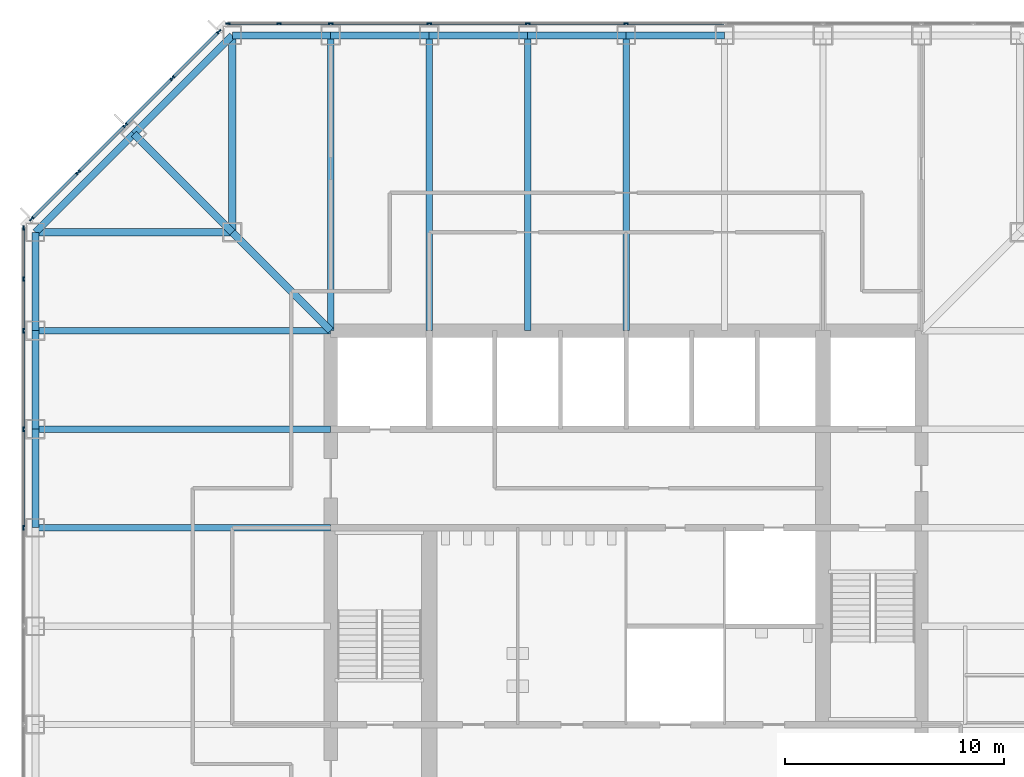
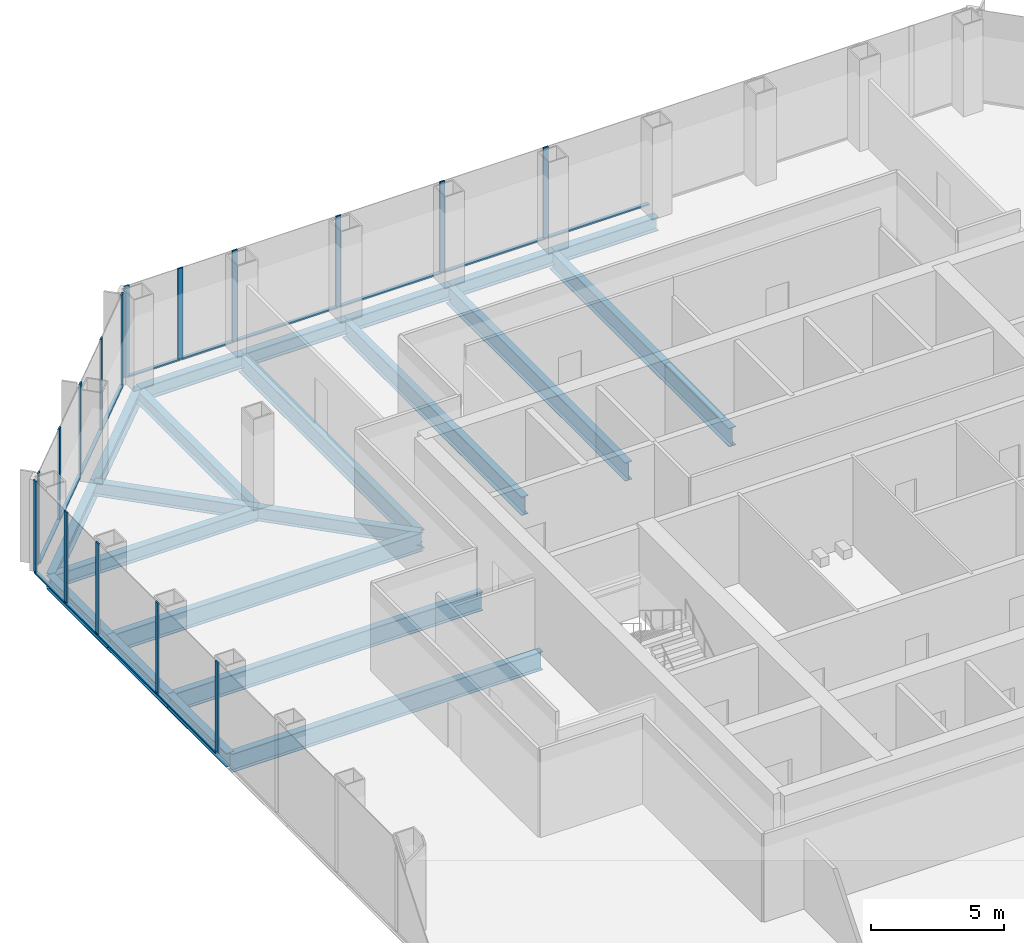
# One storey, part 5 of 12: 30 members, 21 beams, 3 elements without a shape of their own.
"""IFC4 building model written with IfcOpenShell, lengths in metres."""

from ifc_helpers import new_model, si_unit, direction, frame, origin, origin_2d, place, context, subcontext, project, spatial, rectangle, i_section, extrude, material, material_profile, profile_set, type_object, element, aggregate, save


model = new_model("IFC4")

# Units and contexts
model_context = context("Model", 3, precision=1e-05, world=origin(), true_north=direction((0.0, 1.0)))
body_context = subcontext(model_context, "Body", "Model", "MODEL_VIEW")
ifc_project = project(units=[si_unit("LENGTHUNIT", "METRE"), si_unit("AREAUNIT", "SQUARE_METRE"), si_unit("VOLUMEUNIT", "CUBIC_METRE"), si_unit("PLANEANGLEUNIT", "RADIAN"), si_unit("MASSUNIT", "GRAM", prefix="KILO")], contexts=[model_context])

# Site, building, storey
site_placement = place(None, origin())
site = spatial("IfcSite", under=ifc_project, at=site_placement, CompositionType="ELEMENT")
building_placement = place(site_placement, origin())
building = spatial("IfcBuilding", under=site, at=building_placement, Name="Corais Broadcast Tower", CompositionType="ELEMENT")
storey_placement = place(building_placement, frame((0.0, 0.0, 41.60009765625)))
storey = spatial("IfcBuildingStorey", under=building, at=storey_placement, Name="L08", CompositionType="ELEMENT", Elevation=41.60009765625)

# Beams
ifc_material_1 = material(Name="Steel ASTM A572 Grade 50", Category="steel")
ifc_material_profile_1 = material_profile(ifc_material_1, i_section(OverallWidth=0.323974609375, OverallDepth=0.611083984375, WebThickness=0.0126953125, FlangeThickness=0.01904296875, at=origin_2d()), Name="W610x155")
ifc_profile_set_1 = profile_set([ifc_material_profile_1], Name="Steel ASTM A572 Grade 50")
beam_type_1 = type_object("IfcBeamType", Name="Chamfer tie W610x155", PredefinedType="BEAM", material=ifc_profile_set_1)
beam_1_placement = place(storey_placement, frame((4.5, 49.5, -0.465576171875), z_axis=(0.707106781187, -0.707106781187, 0.0), x_axis=(0.707106781187, 0.707106781187, 0.0)))
element("IfcBeam", 1, at=beam_1_placement, inside=storey, type_object=beam_type_1, Name="B5 M/4 to L/5", PredefinedType="BEAM", context=body_context, shape_type="SweptSolid", body=[
    extrude(i_section(OverallWidth=0.323974609375, OverallDepth=0.611083984375, WebThickness=0.0126953125, FlangeThickness=0.01904296875, at=origin_2d()), origin(), (0.0, 0.0, 1.0), 6.364013671875),
])
ifc_material_2 = material(Name="Steel ASTM A572 Grade 50", Category="steel")
ifc_material_profile_2 = material_profile(ifc_material_2, i_section(OverallWidth=0.323974609375, OverallDepth=0.611083984375, WebThickness=0.0126953125, FlangeThickness=0.01904296875, at=origin_2d()), Name="W610x155")
ifc_profile_set_2 = profile_set([ifc_material_profile_2], Name="Steel ASTM A572 Grade 50")
beam_type_2 = type_object("IfcBeamType", Name="Corner diagonal W610x155", PredefinedType="BEAM", material=ifc_profile_set_2)
beam_2_placement = place(storey_placement, frame((9.0, 45.0, -0.465576171875), z_axis=(0.707106781187, -0.707106781187, 0.0), x_axis=(0.707106781187, 0.707106781187, 0.0)))
element("IfcBeam", 2, at=beam_2_placement, inside=storey, type_object=beam_type_2, Name="B6 L/5 to K/6", PredefinedType="BEAM", context=body_context, shape_type="SweptSolid", body=[
    extrude(i_section(OverallWidth=0.323974609375, OverallDepth=0.611083984375, WebThickness=0.0126953125, FlangeThickness=0.01904296875, at=origin_2d()), origin(), (0.0, 0.0, 1.0), 6.364013671875),
])
ifc_material_3 = material(Name="Steel ASTM A572 Grade 50", Category="steel")
ifc_material_profile_3 = material_profile(ifc_material_3, i_section(OverallWidth=0.323974609375, OverallDepth=0.611083984375, WebThickness=0.0126953125, FlangeThickness=0.01904296875, at=origin_2d()), Name="W610x155")
ifc_profile_set_3 = profile_set([ifc_material_profile_3], Name="Steel ASTM A572 Grade 50")
beam_type_3 = type_object("IfcBeamType", Name="Corner girder W610x155", PredefinedType="BEAM", material=ifc_profile_set_3)
for number, where, z_axis, x_axis, name in (
    (3, (0.0, 45.0, -0.465576171875), (1.0, 0.0, 0.0), (0.0, 1.0, 0.0), "B4 L/3 to L/5"),
    (4, (9.0, 54.0, -0.465576171875), (0.0, -1.0, 0.0), (1.0, 0.0, 0.0), "B4 N/5 to L/5"),
):
    element("IfcBeam", number, at=place(storey_placement, frame(where, z_axis=z_axis, x_axis=x_axis)), inside=storey, type_object=beam_type_3, Name=name, PredefinedType="BEAM", context=body_context, shape_type="SweptSolid", body=[
        extrude(i_section(OverallWidth=0.323974609375, OverallDepth=0.611083984375, WebThickness=0.0126953125, FlangeThickness=0.01904296875, at=origin_2d()), origin(), (0.0, 0.0, 1.0), 9.0),
    ])
ifc_material_4 = material(Name="Steel ASTM A572 Grade 50", Category="steel")
ifc_material_profile_4 = material_profile(ifc_material_4, i_section(OverallWidth=0.2939453125, OverallDepth=0.85107421875, WebThickness=0.01611328125, FlangeThickness=0.02685546875, at=origin_2d()), Name="W840x226")
ifc_profile_set_4 = profile_set([ifc_material_profile_4], Name="Steel ASTM A572 Grade 50")
beam_type_4 = type_object("IfcBeamType", Name="Floor beam W840x226", PredefinedType="BEAM", material=ifc_profile_set_4)
for number, where, z_axis, x_axis, name in (
    (5, (0.0, 31.5, -0.585693359375), (1.0, 0.0, 0.0), (0.0, 1.0, 0.0), "B1 H/3 to H/6"),
    (6, (0.0, 36.0, -0.585693359375), (1.0, 0.0, 0.0), (0.0, 1.0, 0.0), "B1 J/3 to J/6"),
    (7, (0.0, 40.5, -0.585693359375), (1.0, 0.0, 0.0), (0.0, 1.0, 0.0), "B1 K/3 to K/6"),
    (8, (13.5, 54.0, -0.585693359375), (0.0, -1.0, 0.0), (1.0, 0.0, 0.0), "B1 N/6 to K/6"),
    (9, (18.0, 54.0, -0.585693359375), (0.0, -1.0, 0.0), (1.0, 0.0, 0.0), "B1 N/7 to K/7"),
    (10, (22.5, 54.0, -0.585693359375), (0.0, -1.0, 0.0), (1.0, 0.0, 0.0), "B1 N/8 to K/8"),
    (11, (27.0, 54.0, -0.585693359375), (0.0, -1.0, 0.0), (1.0, 0.0, 0.0), "B1 N/9 to K/9"),
):
    element("IfcBeam", number, at=place(storey_placement, frame(where, z_axis=z_axis, x_axis=x_axis)), inside=storey, type_object=beam_type_4, Name=name, PredefinedType="BEAM", context=body_context, shape_type="SweptSolid", body=[
        extrude(i_section(OverallWidth=0.2939453125, OverallDepth=0.85107421875, WebThickness=0.01611328125, FlangeThickness=0.02685546875, at=origin_2d()), origin(), (0.0, 0.0, 1.0), 13.5),
    ])

# Curtain wall, members
ifc_material_5 = material(Name="Aluminium and glass", Category="aluminium")
curtain_wall_type = type_object("IfcCurtainWallType", Name="Newsroom clear-glass curtain wall CW7", PredefinedType="NOTDEFINED", material=ifc_material_5)
curtain_wall_1_placement = place(storey_placement, origin())
curtain_wall_1 = element("IfcCurtainWall", 12, at=curtain_wall_1_placement, inside=storey, type_object=curtain_wall_type, Name="CW7 curtain wall L08 2", PredefinedType="NOTDEFINED")
ifc_material_6 = material(Name="Aluminium 6063-T6", Category="aluminium")
ifc_material_profile_5 = material_profile(ifc_material_6, rectangle(XDim=0.06494140625, YDim=0.219970703125, at=origin_2d()), Name="Mullion CW7 65x220")
ifc_profile_set_5 = profile_set([ifc_material_profile_5], Name="Aluminium 6063-T6")
member_type_1 = type_object("IfcMemberType", Name="Mullion CW7 65x220", PredefinedType="MULLION", material=ifc_profile_set_5)
member_1_placement = place(storey_placement, frame((-0.550048828125, 31.5, 0.0), z_axis=(0.0, 0.0, 1.0), x_axis=(-1.0, 0.0, 0.0)))
member_1 = element("IfcMember", 13, at=member_1_placement, type_object=member_type_1, Name="CW7 mullion 7", PredefinedType="MULLION", context=body_context, shape_type="SweptSolid", body=[
    extrude(rectangle(XDim=0.06494140625, YDim=0.219970703125, at=origin_2d()), origin(), (0.0, 0.0, 1.0), 4.199951171875),
])
member_2_placement = place(storey_placement, frame((-0.550048828125, 36.0, 0.0), z_axis=(0.0, 0.0, 1.0), x_axis=(-1.0, 0.0, 0.0)))
member_2 = element("IfcMember", 14, at=member_2_placement, type_object=member_type_1, Name="CW7 mullion 8", PredefinedType="MULLION", context=body_context, shape_type="SweptSolid", body=[
    extrude(rectangle(XDim=0.06494140625, YDim=0.219970703125, at=origin_2d()), origin(), (0.0, 0.0, 1.0), 4.199951171875),
])
member_3_placement = place(storey_placement, frame((-0.550048828125, 40.5, 0.0), z_axis=(0.0, 0.0, 1.0), x_axis=(-1.0, 0.0, 0.0)))
member_3 = element("IfcMember", 15, at=member_3_placement, type_object=member_type_1, Name="CW7 mullion 9", PredefinedType="MULLION", context=body_context, shape_type="SweptSolid", body=[
    extrude(rectangle(XDim=0.06494140625, YDim=0.219970703125, at=origin_2d()), origin(), (0.0, 0.0, 1.0), 4.199951171875),
])
member_4_placement = place(storey_placement, frame((-0.550048828125, 42.864013671875, 0.0), z_axis=(0.0, 0.0, 1.0), x_axis=(-1.0, 0.0, 0.0)))
member_4 = element("IfcMember", 16, at=member_4_placement, type_object=member_type_1, Name="CW7 mullion 10", PredefinedType="MULLION", context=body_context, shape_type="SweptSolid", body=[
    extrude(rectangle(XDim=0.06494140625, YDim=0.219970703125, at=origin_2d()), origin(), (0.0, 0.0, 1.0), 4.199951171875),
])
member_5_placement = place(storey_placement, frame((-0.550048828125, 45.1953125, 0.0), z_axis=(0.0, 0.0, 1.0), x_axis=(-1.0, 0.0, 0.0)))
member_5 = element("IfcMember", 17, at=member_5_placement, type_object=member_type_1, Name="CW7 mullion 11", PredefinedType="MULLION", context=body_context, shape_type="SweptSolid", body=[
    extrude(rectangle(XDim=0.06494140625, YDim=0.219970703125, at=origin_2d()), origin(), (0.0, 0.0, 1.0), 4.199951171875),
])

curtain_wall_2_placement = place(storey_placement, origin())
curtain_wall_2 = element("IfcCurtainWall", 18, at=curtain_wall_2_placement, inside=storey, type_object=curtain_wall_type, Name="CW7 curtain wall L08 3", PredefinedType="NOTDEFINED")
member_6_placement = place(storey_placement, frame((-0.17333984375, 45.6044921875, 0.0), z_axis=(0.0, 0.0, 1.0), x_axis=(-0.707106781187, 0.707106781187, 0.0)))
member_6 = element("IfcMember", 19, at=member_6_placement, type_object=member_type_1, Name="CW7 mullion 1", PredefinedType="MULLION", context=body_context, shape_type="SweptSolid", body=[
    extrude(rectangle(XDim=0.06494140625, YDim=0.219970703125, at=origin_2d()), origin(), (0.0, 0.0, 1.0), 4.199951171875),
])
member_7_placement = place(storey_placement, frame((1.957275390625, 47.735107421875, 0.0), z_axis=(0.0, 0.0, 1.0), x_axis=(-0.707106781187, 0.707106781187, 0.0)))
member_7 = element("IfcMember", 20, at=member_7_placement, type_object=member_type_1, Name="CW7 mullion 2", PredefinedType="MULLION", context=body_context, shape_type="SweptSolid", body=[
    extrude(rectangle(XDim=0.06494140625, YDim=0.219970703125, at=origin_2d()), origin(), (0.0, 0.0, 1.0), 4.199951171875),
])
member_8_placement = place(storey_placement, frame((4.111083984375, 49.888916015625, 0.0), z_axis=(0.0, 0.0, 1.0), x_axis=(-0.707106781187, 0.707106781187, 0.0)))
member_8 = element("IfcMember", 21, at=member_8_placement, type_object=member_type_1, Name="CW7 mullion 3", PredefinedType="MULLION", context=body_context, shape_type="SweptSolid", body=[
    extrude(rectangle(XDim=0.06494140625, YDim=0.219970703125, at=origin_2d()), origin(), (0.0, 0.0, 1.0), 4.199951171875),
])
member_9_placement = place(storey_placement, frame((6.264892578125, 52.042724609375, 0.0), z_axis=(0.0, 0.0, 1.0), x_axis=(-0.707106781187, 0.707106781187, 0.0)))
member_9 = element("IfcMember", 22, at=member_9_placement, type_object=member_type_1, Name="CW7 mullion 4", PredefinedType="MULLION", context=body_context, shape_type="SweptSolid", body=[
    extrude(rectangle(XDim=0.06494140625, YDim=0.219970703125, at=origin_2d()), origin(), (0.0, 0.0, 1.0), 4.199951171875),
])
member_10_placement = place(storey_placement, frame((8.3955078125, 54.17333984375, 0.0), z_axis=(0.0, 0.0, 1.0), x_axis=(-0.707106781187, 0.707106781187, 0.0)))
member_10 = element("IfcMember", 23, at=member_10_placement, type_object=member_type_1, Name="CW7 mullion 5", PredefinedType="MULLION", context=body_context, shape_type="SweptSolid", body=[
    extrude(rectangle(XDim=0.06494140625, YDim=0.219970703125, at=origin_2d()), origin(), (0.0, 0.0, 1.0), 4.199951171875),
])

curtain_wall_3_placement = place(storey_placement, origin())
curtain_wall_3 = element("IfcCurtainWall", 24, at=curtain_wall_3_placement, inside=storey, type_object=curtain_wall_type, Name="CW7 curtain wall L08 4", PredefinedType="NOTDEFINED")
member_11_placement = place(storey_placement, frame((8.8046875, 54.550048828125, 0.0), z_axis=(0.0, 0.0, 1.0), x_axis=(0.0, 1.0, 0.0)))
member_11 = element("IfcMember", 25, at=member_11_placement, type_object=member_type_1, Name="CW7 mullion 1", PredefinedType="MULLION", context=body_context, shape_type="SweptSolid", body=[
    extrude(rectangle(XDim=0.06494140625, YDim=0.219970703125, at=origin_2d()), origin(), (0.0, 0.0, 1.0), 4.199951171875),
])
member_12_placement = place(storey_placement, frame((11.135986328125, 54.550048828125, 0.0), z_axis=(0.0, 0.0, 1.0), x_axis=(0.0, 1.0, 0.0)))
member_12 = element("IfcMember", 26, at=member_12_placement, type_object=member_type_1, Name="CW7 mullion 2", PredefinedType="MULLION", context=body_context, shape_type="SweptSolid", body=[
    extrude(rectangle(XDim=0.06494140625, YDim=0.219970703125, at=origin_2d()), origin(), (0.0, 0.0, 1.0), 4.199951171875),
])
member_13_placement = place(storey_placement, frame((13.5, 54.550048828125, 0.0), z_axis=(0.0, 0.0, 1.0), x_axis=(0.0, 1.0, 0.0)))
member_13 = element("IfcMember", 27, at=member_13_placement, type_object=member_type_1, Name="CW7 mullion 3", PredefinedType="MULLION", context=body_context, shape_type="SweptSolid", body=[
    extrude(rectangle(XDim=0.06494140625, YDim=0.219970703125, at=origin_2d()), origin(), (0.0, 0.0, 1.0), 4.199951171875),
])
member_14_placement = place(storey_placement, frame((18.0, 54.550048828125, 0.0), z_axis=(0.0, 0.0, 1.0), x_axis=(0.0, 1.0, 0.0)))
member_14 = element("IfcMember", 28, at=member_14_placement, type_object=member_type_1, Name="CW7 mullion 4", PredefinedType="MULLION", context=body_context, shape_type="SweptSolid", body=[
    extrude(rectangle(XDim=0.06494140625, YDim=0.219970703125, at=origin_2d()), origin(), (0.0, 0.0, 1.0), 4.199951171875),
])
member_15_placement = place(storey_placement, frame((22.5, 54.550048828125, 0.0), z_axis=(0.0, 0.0, 1.0), x_axis=(0.0, 1.0, 0.0)))
member_15 = element("IfcMember", 29, at=member_15_placement, type_object=member_type_1, Name="CW7 mullion 5", PredefinedType="MULLION", context=body_context, shape_type="SweptSolid", body=[
    extrude(rectangle(XDim=0.06494140625, YDim=0.219970703125, at=origin_2d()), origin(), (0.0, 0.0, 1.0), 4.199951171875),
])
member_16_placement = place(storey_placement, frame((27.0, 54.550048828125, 0.0), z_axis=(0.0, 0.0, 1.0), x_axis=(0.0, 1.0, 0.0)))
member_16 = element("IfcMember", 30, at=member_16_placement, type_object=member_type_1, Name="CW7 mullion 6", PredefinedType="MULLION", context=body_context, shape_type="SweptSolid", body=[
    extrude(rectangle(XDim=0.06494140625, YDim=0.219970703125, at=origin_2d()), origin(), (0.0, 0.0, 1.0), 4.199951171875),
])

# Beams
ifc_material_7 = material(Name="Steel ASTM A572 Grade 50", Category="steel")
ifc_material_profile_6 = material_profile(ifc_material_7, i_section(OverallWidth=0.3291015625, OverallDepth=0.635009765625, WebThickness=0.017822265625, FlangeThickness=0.031005859375, at=origin_2d()), Name="W610x241")
ifc_profile_set_6 = profile_set([ifc_material_profile_6], Name="Steel ASTM A572 Grade 50")
beam_type_5 = type_object("IfcBeamType", Name="Spandrel W610x241", PredefinedType="BEAM", material=ifc_profile_set_6)
for number, where, z_axis, x_axis, name in (
    (31, (0.0, 36.0, -0.4775390625), (0.0, -1.0, 0.0), (1.0, 0.0, 0.0), "SB1 J/3 to H/3"),
    (32, (0.0, 40.5, -0.4775390625), (0.0, -1.0, 0.0), (1.0, 0.0, 0.0), "SB1 K/3 to J/3"),
    (33, (0.0, 45.0, -0.4775390625), (0.0, -1.0, 0.0), (1.0, 0.0, 0.0), "SB1 L/3 to K/3"),
    (34, (13.5, 54.0, -0.4775390625), (-1.0, 0.0, 0.0), (0.0, -1.0, 0.0), "SB1 N/6 to N/5"),
    (35, (18.0, 54.0, -0.4775390625), (-1.0, 0.0, 0.0), (0.0, -1.0, 0.0), "SB1 N/7 to N/6"),
    (36, (22.5, 54.0, -0.4775390625), (-1.0, 0.0, 0.0), (0.0, -1.0, 0.0), "SB1 N/8 to N/7"),
    (37, (27.0, 54.0, -0.4775390625), (-1.0, 0.0, 0.0), (0.0, -1.0, 0.0), "SB1 N/9 to N/8"),
    (38, (31.5, 54.0, -0.4775390625), (-1.0, 0.0, 0.0), (0.0, -1.0, 0.0), "SB1 N/10 to N/9"),
):
    element("IfcBeam", number, at=place(storey_placement, frame(where, z_axis=z_axis, x_axis=x_axis)), inside=storey, type_object=beam_type_5, Name=name, PredefinedType="BEAM", context=body_context, shape_type="SweptSolid", body=[
        extrude(i_section(OverallWidth=0.3291015625, OverallDepth=0.635009765625, WebThickness=0.017822265625, FlangeThickness=0.031005859375, at=origin_2d()), origin(), (0.0, 0.0, 1.0), 4.5),
    ])
for number, where, z_axis, x_axis, name in (
    (39, (4.5, 49.5, -0.4775390625), (-0.707106781187, -0.707106781187, 0.0), (0.707106781187, -0.707106781187, 0.0), "SB1 M/4 to L/3"),
    (40, (9.0, 54.0, -0.4775390625), (-0.707106781187, -0.707106781187, 0.0), (0.707106781187, -0.707106781187, 0.0), "SB1 N/5 to M/4"),
):
    element("IfcBeam", number, at=place(storey_placement, frame(where, z_axis=z_axis, x_axis=x_axis)), inside=storey, type_object=beam_type_5, Name=name, PredefinedType="BEAM", context=body_context, shape_type="SweptSolid", body=[
        extrude(i_section(OverallWidth=0.3291015625, OverallDepth=0.635009765625, WebThickness=0.017822265625, FlangeThickness=0.031005859375, at=origin_2d()), origin(), (0.0, 0.0, 1.0), 6.364013671875),
    ])

# Member
ifc_material_8 = material(Name="Aluminium 6063-T6", Category="aluminium")
ifc_material_profile_7 = material_profile(ifc_material_8, rectangle(XDim=0.14990234375, YDim=0.06494140625, at=origin_2d()), Name="Transom CW7 65x150")
ifc_profile_set_7 = profile_set([ifc_material_profile_7], Name="Aluminium 6063-T6")
member_type_2 = type_object("IfcMemberType", Name="Transom CW7 65x150", PredefinedType="USERDEFINED", material=ifc_profile_set_7)
member_17_placement = place(storey_placement, frame((-0.550048828125, 31.532470703125, 0.032470703125), z_axis=(0.0, 1.0, 0.0), x_axis=(-1.0, 0.0, 0.0)))
member_17 = element("IfcMember", 41, at=member_17_placement, type_object=member_type_2, Name="CW7 transom 7.1", ObjectType="TRANSOM", PredefinedType="USERDEFINED", context=body_context, shape_type="SweptSolid", body=[
    extrude(rectangle(XDim=0.14990234375, YDim=0.06494140625, at=origin_2d()), origin(), (0.0, 0.0, 1.0), 4.43505859375),
])

member_18_placement = place(storey_placement, frame((-0.550048828125, 36.032470703125, 0.032470703125), z_axis=(0.0, 1.0, 0.0), x_axis=(-1.0, 0.0, 0.0)))
member_18 = element("IfcMember", 42, at=member_18_placement, type_object=member_type_2, Name="CW7 transom 8.1", ObjectType="TRANSOM", PredefinedType="USERDEFINED", context=body_context, shape_type="SweptSolid", body=[
    extrude(rectangle(XDim=0.14990234375, YDim=0.06494140625, at=origin_2d()), origin(), (0.0, 0.0, 1.0), 4.43505859375),
])

member_19_placement = place(storey_placement, frame((-0.550048828125, 40.532470703125, 0.032470703125), z_axis=(0.0, 1.0, 0.0), x_axis=(-1.0, 0.0, 0.0)))
member_19 = element("IfcMember", 43, at=member_19_placement, type_object=member_type_2, Name="CW7 transom 9.1", ObjectType="TRANSOM", PredefinedType="USERDEFINED", context=body_context, shape_type="SweptSolid", body=[
    extrude(rectangle(XDim=0.14990234375, YDim=0.06494140625, at=origin_2d()), origin(), (0.0, 0.0, 1.0), 2.298828125),
])

member_20_placement = place(storey_placement, frame((-0.550048828125, 42.896484375, 0.032470703125), z_axis=(0.0, 1.0, 0.0), x_axis=(-1.0, 0.0, 0.0)))
member_20 = element("IfcMember", 44, at=member_20_placement, type_object=member_type_2, Name="CW7 transom 10.1", ObjectType="TRANSOM", PredefinedType="USERDEFINED", context=body_context, shape_type="SweptSolid", body=[
    extrude(rectangle(XDim=0.14990234375, YDim=0.06494140625, at=origin_2d()), origin(), (0.0, 0.0, 1.0), 2.266357421875),
])

aggregate(curtain_wall_1, [member_1, member_2, member_3, member_4, member_5, member_17, member_18, member_19, member_20])

member_21_placement = place(storey_placement, frame((-0.150390625, 45.62744140625, 0.032470703125), z_axis=(0.707106781187, 0.707106781187, 0.0), x_axis=(-0.707106781187, 0.707106781187, 0.0)))
member_21 = element("IfcMember", 45, at=member_21_placement, type_object=member_type_2, Name="CW7 transom 1.1", ObjectType="TRANSOM", PredefinedType="USERDEFINED", context=body_context, shape_type="SweptSolid", body=[
    extrude(rectangle(XDim=0.14990234375, YDim=0.06494140625, at=origin_2d()), origin(), (0.0, 0.0, 1.0), 2.9482421875),
])

member_22_placement = place(storey_placement, frame((1.980224609375, 47.758056640625, 0.032470703125), z_axis=(0.707106781187, 0.707106781187, 0.0), x_axis=(-0.707106781187, 0.707106781187, 0.0)))
member_22 = element("IfcMember", 46, at=member_22_placement, type_object=member_type_2, Name="CW7 transom 2.1", ObjectType="TRANSOM", PredefinedType="USERDEFINED", context=body_context, shape_type="SweptSolid", body=[
    extrude(rectangle(XDim=0.14990234375, YDim=0.06494140625, at=origin_2d()), origin(), (0.0, 0.0, 1.0), 2.98095703125),
])

member_23_placement = place(storey_placement, frame((4.134033203125, 49.911865234375, 0.032470703125), z_axis=(0.707106781187, 0.707106781187, 0.0), x_axis=(-0.707106781187, 0.707106781187, 0.0)))
member_23 = element("IfcMember", 47, at=member_23_placement, type_object=member_type_2, Name="CW7 transom 3.1", ObjectType="TRANSOM", PredefinedType="USERDEFINED", context=body_context, shape_type="SweptSolid", body=[
    extrude(rectangle(XDim=0.14990234375, YDim=0.06494140625, at=origin_2d()), origin(), (0.0, 0.0, 1.0), 2.98095703125),
])

member_24_placement = place(storey_placement, frame((6.287841796875, 52.065673828125, 0.032470703125), z_axis=(0.707106781187, 0.707106781187, 0.0), x_axis=(-0.707106781187, 0.707106781187, 0.0)))
member_24 = element("IfcMember", 48, at=member_24_placement, type_object=member_type_2, Name="CW7 transom 4.1", ObjectType="TRANSOM", PredefinedType="USERDEFINED", context=body_context, shape_type="SweptSolid", body=[
    extrude(rectangle(XDim=0.14990234375, YDim=0.06494140625, at=origin_2d()), origin(), (0.0, 0.0, 1.0), 2.9482421875),
])

aggregate(curtain_wall_2, [member_6, member_7, member_8, member_9, member_10, member_21, member_22, member_23, member_24])

member_25_placement = place(storey_placement, frame((8.837158203125, 54.550048828125, 0.032470703125), z_axis=(1.0, 0.0, 0.0), x_axis=(0.0, 1.0, 0.0)))
member_25 = element("IfcMember", 49, at=member_25_placement, type_object=member_type_2, Name="CW7 transom 1.1", ObjectType="TRANSOM", PredefinedType="USERDEFINED", context=body_context, shape_type="SweptSolid", body=[
    extrude(rectangle(XDim=0.14990234375, YDim=0.06494140625, at=origin_2d()), origin(), (0.0, 0.0, 1.0), 2.266357421875),
])

member_26_placement = place(storey_placement, frame((11.168701171875, 54.550048828125, 0.032470703125), z_axis=(1.0, 0.0, 0.0), x_axis=(0.0, 1.0, 0.0)))
member_26 = element("IfcMember", 50, at=member_26_placement, type_object=member_type_2, Name="CW7 transom 2.1", ObjectType="TRANSOM", PredefinedType="USERDEFINED", context=body_context, shape_type="SweptSolid", body=[
    extrude(rectangle(XDim=0.14990234375, YDim=0.06494140625, at=origin_2d()), origin(), (0.0, 0.0, 1.0), 2.298828125),
])

member_27_placement = place(storey_placement, frame((13.532470703125, 54.550048828125, 0.032470703125), z_axis=(1.0, 0.0, 0.0), x_axis=(0.0, 1.0, 0.0)))
member_27 = element("IfcMember", 51, at=member_27_placement, type_object=member_type_2, Name="CW7 transom 3.1", ObjectType="TRANSOM", PredefinedType="USERDEFINED", context=body_context, shape_type="SweptSolid", body=[
    extrude(rectangle(XDim=0.14990234375, YDim=0.06494140625, at=origin_2d()), origin(), (0.0, 0.0, 1.0), 4.43505859375),
])

member_28_placement = place(storey_placement, frame((18.032470703125, 54.550048828125, 0.032470703125), z_axis=(1.0, 0.0, 0.0), x_axis=(0.0, 1.0, 0.0)))
member_28 = element("IfcMember", 52, at=member_28_placement, type_object=member_type_2, Name="CW7 transom 4.1", ObjectType="TRANSOM", PredefinedType="USERDEFINED", context=body_context, shape_type="SweptSolid", body=[
    extrude(rectangle(XDim=0.14990234375, YDim=0.06494140625, at=origin_2d()), origin(), (0.0, 0.0, 1.0), 4.43505859375),
])

member_29_placement = place(storey_placement, frame((22.532470703125, 54.550048828125, 0.032470703125), z_axis=(1.0, 0.0, 0.0), x_axis=(0.0, 1.0, 0.0)))
member_29 = element("IfcMember", 53, at=member_29_placement, type_object=member_type_2, Name="CW7 transom 5.1", ObjectType="TRANSOM", PredefinedType="USERDEFINED", context=body_context, shape_type="SweptSolid", body=[
    extrude(rectangle(XDim=0.14990234375, YDim=0.06494140625, at=origin_2d()), origin(), (0.0, 0.0, 1.0), 4.43505859375),
])

member_30_placement = place(storey_placement, frame((27.032470703125, 54.550048828125, 0.032470703125), z_axis=(1.0, 0.0, 0.0), x_axis=(0.0, 1.0, 0.0)))
member_30 = element("IfcMember", 54, at=member_30_placement, type_object=member_type_2, Name="CW7 transom 6.1", ObjectType="TRANSOM", PredefinedType="USERDEFINED", context=body_context, shape_type="SweptSolid", body=[
    extrude(rectangle(XDim=0.14990234375, YDim=0.06494140625, at=origin_2d()), origin(), (0.0, 0.0, 1.0), 4.43505859375),
])

aggregate(curtain_wall_3, [member_11, member_12, member_13, member_14, member_15, member_16, member_25, member_26, member_27, member_28, member_29, member_30])

save(model, "model.ifc")
